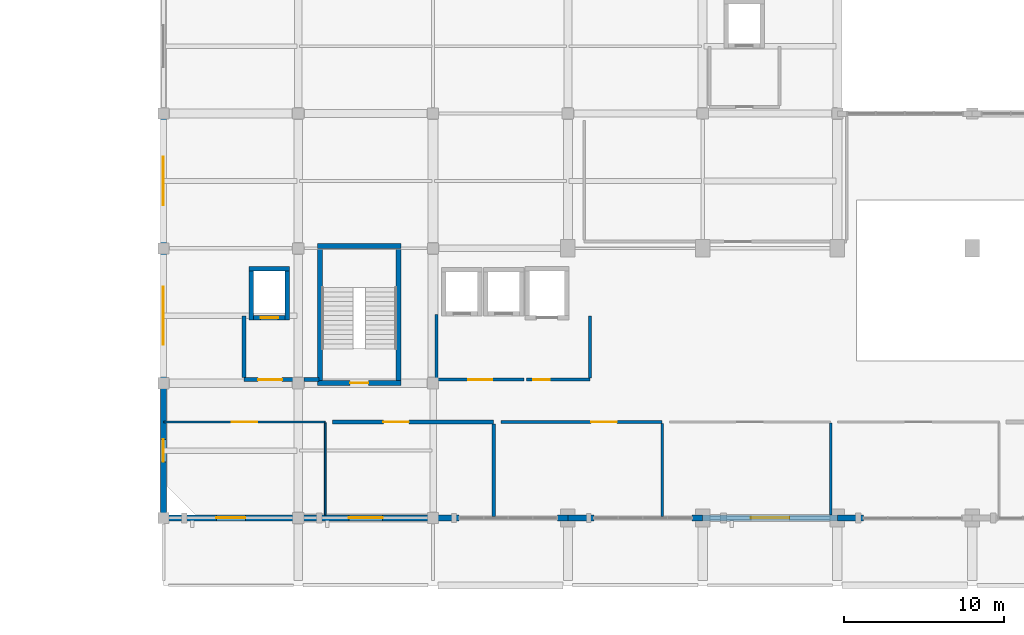
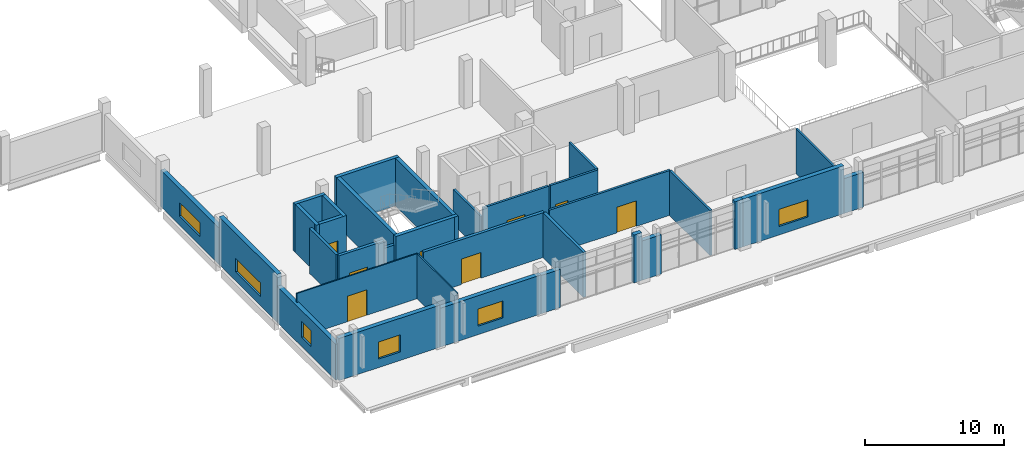
# One storey, part 46 of 59: 33 walls, 8 doors, 6 windows, 14 openings.
"""IFC4 building model written with IfcOpenShell, lengths in metres."""

from ifc_helpers import new_model, si_unit, derived_unit, direction, frame, frame_2d, origin, place, context, subcontext, project, spatial, rectangle, extrude, material, layer, layer_set, type_object, element, fill, save


model = new_model("IFC4")

# Units and contexts
model_context = context("Model", 3, precision=1e-05, world=origin(), true_north=direction((0.0, 1.0)))
body_context = subcontext(model_context, "Body", "Model", "MODEL_VIEW")
ifc_project = project(units=[si_unit("LENGTHUNIT", "METRE"), si_unit("AREAUNIT", "SQUARE_METRE"), si_unit("VOLUMEUNIT", "CUBIC_METRE"), si_unit("PLANEANGLEUNIT", "RADIAN"), si_unit("MASSUNIT", "GRAM", prefix="KILO"), derived_unit("THERMALTRANSMITTANCEUNIT", [(si_unit("POWERUNIT", "WATT"), 1), (si_unit("LENGTHUNIT", "METRE"), -2), (si_unit("THERMODYNAMICTEMPERATUREUNIT", "KELVIN"), -1)])], contexts=[model_context])

# Site, building, storey
site_placement = place(None, origin())
site = spatial("IfcSite", under=ifc_project, at=site_placement, CompositionType="ELEMENT")
building_placement = place(site_placement, origin())
building = spatial("IfcBuilding", under=site, at=building_placement, Name="Barrovel Congress Hotel", CompositionType="ELEMENT")
storey_placement = place(building_placement, frame((0.0, 0.0, 9.89990234375)))
storey = spatial("IfcBuildingStorey", under=building, at=storey_placement, Name="L02", CompositionType="ELEMENT", Elevation=9.89990234375)

# Wall, opening, window
ifc_material_1 = material(Name="Fired Clay Brick Masonry", Category="masonry")
ifc_layer_1 = layer(ifc_material_1, 0.360107421875)
ifc_layer_set_1 = layer_set([ifc_layer_1], Name="Fired Clay Brick Masonry")
wall_type_1 = type_object("IfcWallType", Name="EW-BRK360", PredefinedType="STANDARD", material=ifc_layer_set_1)
wall_1_placement = place(storey_placement, frame((16.800048828125, 4.199951171875, 0.0), z_axis=(0.0, 0.0, 1.0), x_axis=(1.0, 0.0, 0.0)))
wall_1 = element("IfcWall", 1, at=wall_1_placement, inside=storey, type_object=wall_type_1, Name="EW:L02:S:02", PredefinedType="STANDARD", context=body_context, shape_type="SweptSolid", body=[
    extrude(rectangle(XDim=8.39990234375, YDim=0.360107421875, at=frame_2d((4.199951171875, 0.0))), origin(), (0.0, 0.0, 1.0), 3.713134765625),
])
opening_1_placement = place(wall_1_placement, frame((3.300048828125, 0.0, 0.75)))
opening_1 = element("IfcOpeningElement", 2, at=opening_1_placement, cuts=wall_1, Name="Opening WN-03", PredefinedType="OPENING", context=body_context, shape_type="SweptSolid", body=[
    extrude(rectangle(XDim=1.800048828125, YDim=1.5, at=frame_2d((0.89990234375, 0.75))), frame((0.0, 0.18994140625, 0.0), z_axis=(0.0, -1.0, 0.0), x_axis=(1.0, 0.0, 0.0)), (0.0, 0.0, 1.0), 0.380126953125),
])
ifc_material_2 = material(Name="Double Low-E Insulated Glazing", Category="glass")
window_type_1 = type_object("IfcWindowType", Name="WIN-WN-03", PartitioningType="SINGLE_PANEL", PredefinedType="WINDOW", material=ifc_material_2)
window_1_placement = place(opening_1_placement, origin())
window_1 = element("IfcWindow", 3, at=window_1_placement, inside=storey, type_object=window_type_1, Name="WIN:L02:S:02", OverallHeight=1.5, OverallWidth=1.800048828125, PartitioningType="SINGLE_PANEL", PredefinedType="WINDOW", context=body_context, shape_type="SweptSolid", body=[
    extrude(rectangle(XDim=1.800048828125, YDim=1.5, at=frame_2d((0.89990234375, 0.75))), frame((0.0, 0.030029296875, 0.0), z_axis=(0.0, -1.0, 0.0), x_axis=(1.0, 0.0, 0.0)), (0.0, 0.0, 1.0), 0.06005859375),
])
fill(opening_1, window_1)

wall_2_placement = place(storey_placement, frame((25.199951171875, 4.199951171875, 0.0), z_axis=(0.0, 0.0, 1.0), x_axis=(1.0, 0.0, 0.0)))
wall_2 = element("IfcWall", 4, at=wall_2_placement, inside=storey, type_object=wall_type_1, Name="EW:L02:S:03", PredefinedType="STANDARD", context=body_context, shape_type="SweptSolid", body=[
    extrude(rectangle(XDim=8.400146484375, YDim=0.360107421875, at=frame_2d((4.2001953125, 0.0))), origin(), (0.0, 0.0, 1.0), 3.427001953125),
])
opening_2_placement = place(wall_2_placement, frame((3.14990234375, 0.0, 0.75)))
opening_2 = element("IfcOpeningElement", 5, at=opening_2_placement, cuts=wall_2, Name="Opening WN-04", PredefinedType="OPENING", context=body_context, shape_type="SweptSolid", body=[
    extrude(rectangle(XDim=2.10009765625, YDim=1.5, at=frame_2d((1.050048828125, 0.75))), frame((0.0, 0.18994140625, 0.0), z_axis=(0.0, -1.0, 0.0), x_axis=(1.0, 0.0, 0.0)), (0.0, 0.0, 1.0), 0.380126953125),
])
window_type_2 = type_object("IfcWindowType", Name="WIN-WN-04", PartitioningType="SINGLE_PANEL", PredefinedType="WINDOW", material=ifc_material_2)
window_2_placement = place(opening_2_placement, origin())
window_2 = element("IfcWindow", 6, at=window_2_placement, inside=storey, type_object=window_type_2, Name="WIN:L02:S:03", OverallHeight=1.5, OverallWidth=2.10009765625, PartitioningType="SINGLE_PANEL", PredefinedType="WINDOW", context=body_context, shape_type="SweptSolid", body=[
    extrude(rectangle(XDim=2.10009765625, YDim=1.5, at=frame_2d((1.050048828125, 0.75))), frame((0.0, 0.030029296875, 0.0), z_axis=(0.0, -1.0, 0.0), x_axis=(1.0, 0.0, 0.0)), (0.0, 0.0, 1.0), 0.06005859375),
])
fill(opening_2, window_2)

# Walls
wall_3_placement = place(storey_placement, frame((33.60009765625, 4.199951171875, 0.0), z_axis=(0.0, 0.0, 1.0), x_axis=(1.0, 0.0, 0.0)))
element("IfcWall", 7, at=wall_3_placement, inside=storey, type_object=wall_type_1, Name="EW:L02:SJ-L:4", PredefinedType="STANDARD", context=body_context, shape_type="SweptSolid", body=[
    extrude(rectangle(XDim=1.619873046875, YDim=0.360107421875, at=frame_2d((0.81005859375, 0.0))), origin(), (0.0, 0.0, 1.0), 3.360107421875),
])
wall_4_placement = place(storey_placement, frame((41.340087890625, 4.199951171875, 0.0), z_axis=(0.0, 0.0, 1.0), x_axis=(1.0, 0.0, 0.0)))
element("IfcWall", 8, at=wall_4_placement, inside=storey, type_object=wall_type_1, Name="EW:L02:SJ-R:4", PredefinedType="STANDARD", context=body_context, shape_type="SweptSolid", body=[
    extrude(rectangle(XDim=0.659912109375, YDim=0.360107421875, at=frame_2d((0.330078125, 0.0))), origin(), (0.0, 0.0, 1.0), 4.2001953125),
])
wall_5_placement = place(storey_placement, frame((42.0, 4.199951171875, 0.0), z_axis=(0.0, 0.0, 1.0), x_axis=(1.0, 0.0, 0.0)))
element("IfcWall", 9, at=wall_5_placement, inside=storey, type_object=wall_type_1, Name="EW:L02:SJ-L:5", PredefinedType="STANDARD", context=body_context, shape_type="SweptSolid", body=[
    extrude(rectangle(XDim=1.6201171875, YDim=0.360107421875, at=frame_2d((0.81005859375, 0.0))), origin(), (0.0, 0.0, 1.0), 3.460205078125),
])
wall_6_placement = place(storey_placement, frame((49.739990234375, 4.199951171875, 0.0), z_axis=(0.0, 0.0, 1.0), x_axis=(1.0, 0.0, 0.0)))
element("IfcWall", 10, at=wall_6_placement, inside=storey, type_object=wall_type_1, Name="EW:L02:SJ-R:5", PredefinedType="STANDARD", context=body_context, shape_type="SweptSolid", body=[
    extrude(rectangle(XDim=0.659912109375, YDim=0.360107421875, at=frame_2d((0.330078125, 0.0))), origin(), (0.0, 0.0, 1.0), 4.2001953125),
])

# Wall, opening, window
wall_7_placement = place(storey_placement, frame((50.39990234375, 4.199951171875, 0.0), z_axis=(0.0, 0.0, 1.0), x_axis=(1.0, 0.0, 0.0)))
wall_7 = element("IfcWall", 11, at=wall_7_placement, inside=storey, type_object=wall_type_1, Name="EW:L02:S:06", PredefinedType="STANDARD", context=body_context, shape_type="SweptSolid", body=[
    extrude(rectangle(XDim=8.400146484375, YDim=0.360107421875, at=frame_2d((4.2001953125, 0.0))), origin(), (0.0, 0.0, 1.0), 4.2001953125),
])
opening_3_placement = place(wall_7_placement, frame((3.0, 0.0, 0.75)))
opening_3 = element("IfcOpeningElement", 12, at=opening_3_placement, cuts=wall_7, Name="Opening WN-05", PredefinedType="OPENING", context=body_context, shape_type="SweptSolid", body=[
    extrude(rectangle(XDim=2.39990234375, YDim=1.5, at=frame_2d((1.199951171875, 0.75))), frame((0.0, 0.18994140625, 0.0), z_axis=(0.0, -1.0, 0.0), x_axis=(1.0, 0.0, 0.0)), (0.0, 0.0, 1.0), 0.380126953125),
])
window_type_3 = type_object("IfcWindowType", Name="WIN-WN-05", PartitioningType="SINGLE_PANEL", PredefinedType="WINDOW", material=ifc_material_2)
window_3_placement = place(opening_3_placement, origin())
window_3 = element("IfcWindow", 13, at=window_3_placement, inside=storey, type_object=window_type_3, Name="WIN:L02:S:06", OverallHeight=1.5, OverallWidth=2.39990234375, PartitioningType="SINGLE_PANEL", PredefinedType="WINDOW", context=body_context, shape_type="SweptSolid", body=[
    extrude(rectangle(XDim=2.39990234375, YDim=1.5, at=frame_2d((1.199951171875, 0.75))), frame((0.0, 0.030029296875, 0.0), z_axis=(0.0, -1.0, 0.0), x_axis=(1.0, 0.0, 0.0)), (0.0, 0.0, 1.0), 0.06005859375),
])
fill(opening_3, window_3)

# Wall
wall_8_placement = place(storey_placement, frame((58.800048828125, 4.199951171875, 0.0), z_axis=(0.0, 0.0, 1.0), x_axis=(1.0, 0.0, 0.0)))
element("IfcWall", 14, at=wall_8_placement, inside=storey, type_object=wall_type_1, Name="EW:L02:SJ-L:7", PredefinedType="STANDARD", context=body_context, shape_type="SweptSolid", body=[
    extrude(rectangle(XDim=1.619873046875, YDim=0.360107421875, at=frame_2d((0.81005859375, 0.0))), origin(), (0.0, 0.0, 1.0), 3.06005859375),
])

# Wall, opening, window
wall_9_placement = place(storey_placement, frame((16.800048828125, 29.39990234375, 0.0), z_axis=(0.0, 0.0, 1.0), x_axis=(0.0, -1.0, 0.0)))
wall_9 = element("IfcWall", 15, at=wall_9_placement, inside=storey, type_object=wall_type_1, Name="EW:L02:V4W:21.0", PredefinedType="STANDARD", context=body_context, shape_type="SweptSolid", body=[
    extrude(rectangle(XDim=8.39990234375, YDim=0.360107421875, at=frame_2d((4.199951171875, 0.0))), origin(), (0.0, 0.0, 1.0), 3.210205078125),
])
opening_4_placement = place(wall_9_placement, frame((2.699951171875, 0.0, 0.800048828125)))
opening_4 = element("IfcOpeningElement", 16, at=opening_4_placement, cuts=wall_9, Name="Opening WN-16", PredefinedType="OPENING", context=body_context, shape_type="SweptSolid", body=[
    extrude(rectangle(XDim=3.0, YDim=1.199951171875, at=frame_2d((1.5, 0.60009765625))), frame((0.0, 0.18994140625, 0.0), z_axis=(0.0, -1.0, 0.0), x_axis=(1.0, 0.0, 0.0)), (0.0, 0.0, 1.0), 0.380126953125),
])
window_type_4 = type_object("IfcWindowType", Name="WIN-WN-16", PartitioningType="SINGLE_PANEL", PredefinedType="WINDOW", material=ifc_material_2)
window_4_placement = place(opening_4_placement, origin())
window_4 = element("IfcWindow", 17, at=window_4_placement, inside=storey, type_object=window_type_4, Name="WIN:L02:V4W:21.0", OverallHeight=1.199951171875, OverallWidth=3.0, PartitioningType="SINGLE_PANEL", PredefinedType="WINDOW", context=body_context, shape_type="SweptSolid", body=[
    extrude(rectangle(XDim=3.0, YDim=1.199951171875, at=frame_2d((1.5, 0.60009765625))), frame((0.0, 0.030029296875, 0.0), z_axis=(0.0, -1.0, 0.0), x_axis=(1.0, 0.0, 0.0)), (0.0, 0.0, 1.0), 0.06005859375),
])
fill(opening_4, window_4)

wall_10_placement = place(storey_placement, frame((16.800048828125, 21.0, 0.0), z_axis=(0.0, 0.0, 1.0), x_axis=(0.0, -1.0, 0.0)))
wall_10 = element("IfcWall", 18, at=wall_10_placement, inside=storey, type_object=wall_type_1, Name="EW:L02:V4W:12.6", PredefinedType="STANDARD", context=body_context, shape_type="SweptSolid", body=[
    extrude(rectangle(XDim=8.39990234375, YDim=0.360107421875, at=frame_2d((4.199951171875, 0.0))), origin(), (0.0, 0.0, 1.0), 4.2001953125),
])
opening_5_placement = place(wall_10_placement, frame((2.39990234375, 0.0, 0.800048828125)))
opening_5 = element("IfcOpeningElement", 19, at=opening_5_placement, cuts=wall_10, Name="Opening WN-17", PredefinedType="OPENING", context=body_context, shape_type="SweptSolid", body=[
    extrude(rectangle(XDim=3.60009765625, YDim=1.199951171875, at=frame_2d((1.800048828125, 0.60009765625))), frame((0.0, 0.18994140625, 0.0), z_axis=(0.0, -1.0, 0.0), x_axis=(1.0, 0.0, 0.0)), (0.0, 0.0, 1.0), 0.380126953125),
])
window_type_5 = type_object("IfcWindowType", Name="WIN-WN-17", PartitioningType="SINGLE_PANEL", PredefinedType="WINDOW", material=ifc_material_2)
window_5_placement = place(opening_5_placement, origin())
window_5 = element("IfcWindow", 20, at=window_5_placement, inside=storey, type_object=window_type_5, Name="WIN:L02:V4W:12.6", OverallHeight=1.199951171875, OverallWidth=3.60009765625, PartitioningType="SINGLE_PANEL", PredefinedType="WINDOW", context=body_context, shape_type="SweptSolid", body=[
    extrude(rectangle(XDim=3.60009765625, YDim=1.199951171875, at=frame_2d((1.800048828125, 0.60009765625))), frame((0.0, 0.030029296875, 0.0), z_axis=(0.0, -1.0, 0.0), x_axis=(1.0, 0.0, 0.0)), (0.0, 0.0, 1.0), 0.06005859375),
])
fill(opening_5, window_5)

wall_11_placement = place(storey_placement, frame((16.800048828125, 12.60009765625, 0.0), z_axis=(0.0, 0.0, 1.0), x_axis=(0.0, -1.0, 0.0)))
wall_11 = element("IfcWall", 21, at=wall_11_placement, inside=storey, type_object=wall_type_1, Name="EW:L02:V4W:4.2", PredefinedType="STANDARD", context=body_context, shape_type="SweptSolid", body=[
    extrude(rectangle(XDim=8.400146484375, YDim=0.360107421875, at=frame_2d((4.2001953125, 0.0))), origin(), (0.0, 0.0, 1.0), 3.16015625),
])
opening_6_placement = place(wall_11_placement, frame((3.5, 0.0, 0.800048828125)))
opening_6 = element("IfcOpeningElement", 22, at=opening_6_placement, cuts=wall_11, Name="Opening WN-18", PredefinedType="OPENING", context=body_context, shape_type="SweptSolid", body=[
    extrude(rectangle(XDim=1.39990234375, YDim=1.39990234375, at=frame_2d((0.699951171875, 0.699951171875))), frame((0.0, 0.18994140625, 0.0), z_axis=(0.0, -1.0, 0.0), x_axis=(1.0, 0.0, 0.0)), (0.0, 0.0, 1.0), 0.380126953125),
])
window_type_6 = type_object("IfcWindowType", Name="WIN-WN-18", PartitioningType="SINGLE_PANEL", PredefinedType="WINDOW", material=ifc_material_2)
window_6_placement = place(opening_6_placement, origin())
window_6 = element("IfcWindow", 23, at=window_6_placement, inside=storey, type_object=window_type_6, Name="WIN:L02:V4W:4.2", OverallHeight=1.39990234375, OverallWidth=1.39990234375, PartitioningType="SINGLE_PANEL", PredefinedType="WINDOW", context=body_context, shape_type="SweptSolid", body=[
    extrude(rectangle(XDim=1.39990234375, YDim=1.39990234375, at=frame_2d((0.699951171875, 0.699951171875))), frame((0.0, 0.030029296875, 0.0), z_axis=(0.0, -1.0, 0.0), x_axis=(1.0, 0.0, 0.0)), (0.0, 0.0, 1.0), 0.06005859375),
])
fill(opening_6, window_6)

# Wall, opening, door
ifc_material_3 = material(Name="Gypsum Acoustic Stud", Category="gypsum")
ifc_layer_2 = layer(ifc_material_3, 0.179931640625)
ifc_layer_set_2 = layer_set([ifc_layer_2], Name="Gypsum Acoustic Stud")
wall_type_2 = type_object("IfcWallType", Name="PW-ACU-180", PredefinedType="PARTITIONING", material=ifc_layer_set_2)
wall_12_placement = place(storey_placement, frame((33.820068359375, 12.820068359375, 0.0), z_axis=(0.0, 0.0, 1.0), x_axis=(1.0, 0.0, 0.0)))
wall_12 = element("IfcWall", 24, at=wall_12_placement, inside=storey, type_object=wall_type_2, Name="RW:SP:L02:LL-C1:S", PredefinedType="PARTITIONING", context=body_context, shape_type="SweptSolid", body=[
    extrude(rectangle(XDim=5.4599609375, YDim=0.179931640625, at=frame_2d((2.72998046875, 0.0))), origin(), (0.0, 0.0, 1.0), 3.955078125),
])
opening_7_placement = place(wall_12_placement, frame((1.97998046875, 0.0, 0.0)))
opening_7 = element("IfcOpeningElement", 25, at=opening_7_placement, cuts=wall_12, Name="Opening ID-FFL", PredefinedType="OPENING", context=body_context, shape_type="SweptSolid", body=[
    extrude(rectangle(XDim=1.5, YDim=2.14990234375, at=frame_2d((0.75, 1.074951171875))), frame((0.0, 0.10009765625, 0.0), z_axis=(0.0, -1.0, 0.0), x_axis=(1.0, 0.0, 0.0)), (0.0, 0.0, 1.0), 0.199951171875),
])
ifc_material_4 = material(Name="Painted Hollow-Metal Steel Door", Category="steel")
door_type_1 = type_object("IfcDoorType", Name="IDR-ID-FFL", OperationType="NOTDEFINED", PredefinedType="DOOR", material=ifc_material_4)
door_1_placement = place(opening_7_placement, origin())
door_1 = element("IfcDoor", 26, at=door_1_placement, inside=storey, type_object=door_type_1, Name="RD:SP:L02:LL-C1", OperationType="DOUBLE_DOOR_SINGLE_SWING", OverallHeight=2.14990234375, OverallWidth=1.5, PredefinedType="DOOR", context=body_context, shape_type="SweptSolid", body=[
    extrude(rectangle(XDim=1.5, YDim=2.14990234375, at=frame_2d((0.75, 1.074951171875))), frame((0.0, 0.02490234375, 0.0), z_axis=(0.0, -1.0, 0.0), x_axis=(1.0, 0.0, 0.0)), (0.0, 0.0, 1.0), 0.050048828125),
])
fill(opening_7, door_1)

# Wall
wall_13_placement = place(storey_placement, frame((33.820068359375, 12.909912109375, 0.0), z_axis=(0.0, 0.0, 1.0), x_axis=(0.0, 1.0, 0.0)))
element("IfcWall", 27, at=wall_13_placement, inside=storey, type_object=wall_type_2, Name="RW:SP:L02:LL-C1:W", PredefinedType="PARTITIONING", context=body_context, shape_type="SweptSolid", body=[
    extrude(rectangle(XDim=3.969970703125, YDim=0.179931640625, at=frame_2d((1.98486328125, 0.0))), origin(), (0.0, 0.0, 1.0), 3.110107421875),
])

# Wall, opening, door
wall_14_placement = place(storey_placement, frame((39.419921875, 12.820068359375, 0.0), z_axis=(0.0, 0.0, 1.0), x_axis=(1.0, 0.0, 0.0)))
wall_14 = element("IfcWall", 28, at=wall_14_placement, inside=storey, type_object=wall_type_2, Name="RW:SP:L02:LL-SL1:S", PredefinedType="PARTITIONING", context=body_context, shape_type="SweptSolid", body=[
    extrude(rectangle(XDim=3.9599609375, YDim=0.179931640625, at=frame_2d((1.97998046875, 0.0))), origin(), (0.0, 0.0, 1.0), 3.955078125),
])
opening_8_placement = place(wall_14_placement, frame((0.419921875, 0.0, 0.0)))
opening_8 = element("IfcOpeningElement", 29, at=opening_8_placement, cuts=wall_14, Name="Opening ID-ACC", PredefinedType="OPENING", context=body_context, shape_type="SweptSolid", body=[
    extrude(rectangle(XDim=1.02001953125, YDim=2.14990234375, at=frame_2d((0.510009765625, 1.074951171875))), frame((0.0, 0.10009765625, 0.0), z_axis=(0.0, -1.0, 0.0), x_axis=(1.0, 0.0, 0.0)), (0.0, 0.0, 1.0), 0.199951171875),
])
ifc_material_5 = material(Name="Solid Oak Acoustic Timber Door", Category="wood")
door_type_2 = type_object("IfcDoorType", Name="IDR-ID-ACC", OperationType="NOTDEFINED", PredefinedType="DOOR", material=ifc_material_5)
door_2_placement = place(opening_8_placement, origin())
door_2 = element("IfcDoor", 30, at=door_2_placement, inside=storey, type_object=door_type_2, Name="RD:SP:L02:LL-SL1", OperationType="SINGLE_SWING_RIGHT", OverallHeight=2.14990234375, OverallWidth=1.02001953125, PredefinedType="DOOR", context=body_context, shape_type="SweptSolid", body=[
    extrude(rectangle(XDim=1.02001953125, YDim=2.14990234375, at=frame_2d((0.510009765625, 1.074951171875))), frame((0.0, 0.02490234375, 0.0), z_axis=(0.0, -1.0, 0.0), x_axis=(1.0, 0.0, 0.0)), (0.0, 0.0, 1.0), 0.050048828125),
])
fill(opening_8, door_2)

# Wall
wall_15_placement = place(storey_placement, frame((43.3798828125, 12.909912109375, 0.0), z_axis=(0.0, 0.0, 1.0), x_axis=(0.0, 1.0, 0.0)))
element("IfcWall", 31, at=wall_15_placement, inside=storey, type_object=wall_type_2, Name="RW:SP:L02:LL-SL1:E", PredefinedType="PARTITIONING", context=body_context, shape_type="SweptSolid", body=[
    extrude(rectangle(XDim=3.8701171875, YDim=0.179931640625, at=frame_2d((1.93505859375, 0.0))), origin(), (0.0, 0.0, 1.0), 3.955078125),
])

# Wall, opening, door
wall_16_placement = place(storey_placement, frame((37.820068359375, 10.179931640625, 0.0), z_axis=(0.0, 0.0, 1.0), x_axis=(1.0, 0.0, 0.0)))
wall_16 = element("IfcWall", 32, at=wall_16_placement, inside=storey, type_object=wall_type_2, Name="RW:SP:L02:BM-11:N", PredefinedType="PARTITIONING", context=body_context, shape_type="SweptSolid", body=[
    extrude(rectangle(XDim=10.059814453125, YDim=0.179931640625, at=frame_2d((5.02978515625, 0.0))), origin(), (0.0, 0.0, 1.0), 3.955078125),
])
opening_9_placement = place(wall_16_placement, frame((5.6298828125, 0.0, 0.0)))
opening_9 = element("IfcOpeningElement", 33, at=opening_9_placement, cuts=wall_16, Name="Opening ID-MTG", PredefinedType="OPENING", context=body_context, shape_type="SweptSolid", body=[
    extrude(rectangle(XDim=1.60009765625, YDim=2.25, at=frame_2d((0.800048828125, 1.125))), frame((0.0, 0.10009765625, 0.0), z_axis=(0.0, -1.0, 0.0), x_axis=(1.0, 0.0, 0.0)), (0.0, 0.0, 1.0), 0.199951171875),
])
door_type_3 = type_object("IfcDoorType", Name="IDR-ID-MTG", OperationType="NOTDEFINED", PredefinedType="DOOR", material=ifc_material_5)
door_3_placement = place(opening_9_placement, origin())
door_3 = element("IfcDoor", 34, at=door_3_placement, inside=storey, type_object=door_type_3, Name="RD:SP:L02:BM-11", OperationType="DOUBLE_DOOR_SINGLE_SWING", OverallHeight=2.25, OverallWidth=1.60009765625, PredefinedType="DOOR", context=body_context, shape_type="SweptSolid", body=[
    extrude(rectangle(XDim=1.60009765625, YDim=2.25, at=frame_2d((0.800048828125, 1.125))), frame((0.0, 0.02490234375, 0.0), z_axis=(0.0, -1.0, 0.0), x_axis=(1.0, 0.0, 0.0)), (0.0, 0.0, 1.0), 0.050048828125),
])
fill(opening_9, door_3)

# Wall
wall_17_placement = place(storey_placement, frame((47.8798828125, 4.280029296875, 0.0), z_axis=(0.0, 0.0, 1.0), x_axis=(0.0, 1.0, 0.0)))
element("IfcWall", 35, at=wall_17_placement, inside=storey, type_object=wall_type_2, Name="RW:SP:L02:BM-11:E", PredefinedType="PARTITIONING", context=body_context, shape_type="SweptSolid", body=[
    extrude(rectangle(XDim=5.81005859375, YDim=0.179931640625, at=frame_2d((2.905029296875, 0.0))), origin(), (0.0, 0.0, 1.0), 3.955078125),
])

# Wall, opening, door
ifc_layer_3 = layer(ifc_material_3, 0.10009765625)
ifc_layer_set_3 = layer_set([ifc_layer_3], Name="Gypsum Acoustic Stud")
wall_type_3 = type_object("IfcWallType", Name="PW-LGT-100", PredefinedType="PARTITIONING", material=ifc_layer_set_3)
wall_18_placement = place(storey_placement, frame((16.820068359375, 10.179931640625, 0.0), z_axis=(0.0, 0.0, 1.0), x_axis=(1.0, 0.0, 0.0)))
wall_18 = element("IfcWall", 36, at=wall_18_placement, inside=storey, type_object=wall_type_3, Name="RW:SP:L02:BM-09:N", PredefinedType="PARTITIONING", context=body_context, shape_type="SweptSolid", body=[
    extrude(rectangle(XDim=10.059814453125, YDim=0.10009765625, at=frame_2d((5.02978515625, 0.0))), origin(), (0.0, 0.0, 1.0), 3.955078125),
])
opening_10_placement = place(wall_18_placement, frame((4.22998046875, 0.0, 0.0)))
opening_10 = element("IfcOpeningElement", 37, at=opening_10_placement, cuts=wall_18, Name="Opening ID-MTG", PredefinedType="OPENING", context=body_context, shape_type="SweptSolid", body=[
    extrude(rectangle(XDim=1.60009765625, YDim=2.25, at=frame_2d((0.800048828125, 1.125))), frame((0.0, 0.06005859375, 0.0), z_axis=(0.0, -1.0, 0.0), x_axis=(1.0, 0.0, 0.0)), (0.0, 0.0, 1.0), 0.1201171875),
])
door_4_placement = place(opening_10_placement, origin())
door_4 = element("IfcDoor", 38, at=door_4_placement, inside=storey, type_object=door_type_3, Name="RD:SP:L02:BM-09", OperationType="DOUBLE_DOOR_SINGLE_SWING", OverallHeight=2.25, OverallWidth=1.60009765625, PredefinedType="DOOR", context=body_context, shape_type="SweptSolid", body=[
    extrude(rectangle(XDim=1.60009765625, YDim=2.25, at=frame_2d((0.800048828125, 1.125))), frame((0.0, 0.02490234375, 0.0), z_axis=(0.0, -1.0, 0.0), x_axis=(1.0, 0.0, 0.0)), (0.0, 0.0, 1.0), 0.050048828125),
])
fill(opening_10, door_4)

# Wall
wall_19_placement = place(storey_placement, frame((26.8798828125, 4.3798828125, 0.0), z_axis=(0.0, 0.0, 1.0), x_axis=(0.0, 1.0, 0.0)))
element("IfcWall", 39, at=wall_19_placement, inside=storey, type_object=wall_type_3, Name="RW:SP:L02:BM-09:E", PredefinedType="PARTITIONING", context=body_context, shape_type="SweptSolid", body=[
    extrude(rectangle(XDim=5.75, YDim=0.10009765625, at=frame_2d((2.875, 0.0))), origin(), (0.0, 0.0, 1.0), 3.955078125),
])

# Wall, opening, door
ifc_layer_4 = layer(ifc_material_1, 0.239990234375)
ifc_layer_set_4 = layer_set([ifc_layer_4], Name="Fired Clay Brick Masonry")
wall_type_4 = type_object("IfcWallType", Name="PW-MAS-240", PredefinedType="PARTITIONING", material=ifc_layer_set_4)
wall_20_placement = place(storey_placement, frame((21.820068359375, 12.820068359375, 0.0), z_axis=(0.0, 0.0, 1.0), x_axis=(1.0, 0.0, 0.0)))
wall_20 = element("IfcWall", 40, at=wall_20_placement, inside=storey, type_object=wall_type_4, Name="RW:SP:L02:FFL-1:S", PredefinedType="PARTITIONING", context=body_context, shape_type="SweptSolid", body=[
    extrude(rectangle(XDim=3.72998046875, YDim=0.239990234375, at=frame_2d((1.864990234375, 0.0))), origin(), (0.0, 0.0, 1.0), 3.955078125),
])
opening_11_placement = place(wall_20_placement, frame((0.8798828125, 0.0, 0.0)))
opening_11 = element("IfcOpeningElement", 41, at=opening_11_placement, cuts=wall_20, Name="Opening ID-FFL", PredefinedType="OPENING", context=body_context, shape_type="SweptSolid", body=[
    extrude(rectangle(XDim=1.5, YDim=2.14990234375, at=frame_2d((0.75, 1.074951171875))), frame((0.0, 0.1298828125, 0.0), z_axis=(0.0, -1.0, 0.0), x_axis=(1.0, 0.0, 0.0)), (0.0, 0.0, 1.0), 0.260009765625),
])
door_5_placement = place(opening_11_placement, origin())
door_5 = element("IfcDoor", 42, at=door_5_placement, inside=storey, type_object=door_type_1, Name="RD:SP:L02:FFL-1", OperationType="DOUBLE_DOOR_SINGLE_SWING", OverallHeight=2.14990234375, OverallWidth=1.5, PredefinedType="DOOR", context=body_context, shape_type="SweptSolid", body=[
    extrude(rectangle(XDim=1.5, YDim=2.14990234375, at=frame_2d((0.75, 1.074951171875))), frame((0.0, 0.02490234375, 0.0), z_axis=(0.0, -1.0, 0.0), x_axis=(1.0, 0.0, 0.0)), (0.0, 0.0, 1.0), 0.050048828125),
])
fill(opening_11, door_5)

# Wall
wall_21_placement = place(storey_placement, frame((21.820068359375, 12.93994140625, 0.0), z_axis=(0.0, 0.0, 1.0), x_axis=(0.0, 1.0, 0.0)))
element("IfcWall", 43, at=wall_21_placement, inside=storey, type_object=wall_type_4, Name="RW:SP:L02:FFL-1:W", PredefinedType="PARTITIONING", context=body_context, shape_type="SweptSolid", body=[
    extrude(rectangle(XDim=3.840087890625, YDim=0.239990234375, at=frame_2d((1.919921875, 0.0))), origin(), (0.0, 0.0, 1.0), 3.955078125),
])

# Wall, opening, door
wall_22_placement = place(storey_placement, frame((27.320068359375, 10.179931640625, 0.0), z_axis=(0.0, 0.0, 1.0), x_axis=(1.0, 0.0, 0.0)))
wall_22 = element("IfcWall", 44, at=wall_22_placement, inside=storey, type_object=wall_type_4, Name="RW:SP:L02:BM-10:N", PredefinedType="PARTITIONING", context=body_context, shape_type="SweptSolid", body=[
    extrude(rectangle(XDim=10.059814453125, YDim=0.239990234375, at=frame_2d((5.02978515625, 0.0))), origin(), (0.0, 0.0, 1.0), 3.955078125),
])
opening_12_placement = place(wall_22_placement, frame((3.179931640625, 0.0, 0.0)))
opening_12 = element("IfcOpeningElement", 45, at=opening_12_placement, cuts=wall_22, Name="Opening ID-MTG", PredefinedType="OPENING", context=body_context, shape_type="SweptSolid", body=[
    extrude(rectangle(XDim=1.60009765625, YDim=2.25, at=frame_2d((0.800048828125, 1.125))), frame((0.0, 0.1298828125, 0.0), z_axis=(0.0, -1.0, 0.0), x_axis=(1.0, 0.0, 0.0)), (0.0, 0.0, 1.0), 0.260009765625),
])
door_6_placement = place(opening_12_placement, origin())
door_6 = element("IfcDoor", 46, at=door_6_placement, inside=storey, type_object=door_type_3, Name="RD:SP:L02:BM-10", OperationType="DOUBLE_DOOR_SINGLE_SWING", OverallHeight=2.25, OverallWidth=1.60009765625, PredefinedType="DOOR", context=body_context, shape_type="SweptSolid", body=[
    extrude(rectangle(XDim=1.60009765625, YDim=2.25, at=frame_2d((0.800048828125, 1.125))), frame((0.0, 0.02490234375, 0.0), z_axis=(0.0, -1.0, 0.0), x_axis=(1.0, 0.0, 0.0)), (0.0, 0.0, 1.0), 0.050048828125),
])
fill(opening_12, door_6)

# Walls
wall_23_placement = place(storey_placement, frame((37.3798828125, 4.280029296875, 0.0), z_axis=(0.0, 0.0, 1.0), x_axis=(0.0, 1.0, 0.0)))
element("IfcWall", 47, at=wall_23_placement, inside=storey, type_object=wall_type_4, Name="RW:SP:L02:BM-10:E", PredefinedType="PARTITIONING", context=body_context, shape_type="SweptSolid", body=[
    extrude(rectangle(XDim=5.780029296875, YDim=0.239990234375, at=frame_2d((2.89013671875, 0.0))), origin(), (0.0, 0.0, 1.0), 3.955078125),
])
wall_24_placement = place(storey_placement, frame((25.550048828125, 12.820068359375, 0.0), z_axis=(0.0, 0.0, 1.0), x_axis=(1.0, 0.0, 0.0)))
element("IfcWall", 48, at=wall_24_placement, inside=storey, type_object=wall_type_4, Name="RW:SP:L02:FFL-1:S:P02", PredefinedType="PARTITIONING", context=body_context, shape_type="SweptSolid", body=[
    extrude(rectangle(XDim=0.929931640625, YDim=0.239990234375, at=frame_2d((0.46484375, 0.0))), origin(), (0.0, 0.0, 1.0), 3.31005859375),
])
ifc_layer_5 = layer(ifc_material_3, 0.14990234375)
ifc_layer_set_5 = layer_set([ifc_layer_5], Name="Gypsum Acoustic Stud")
wall_type_5 = type_object("IfcWallType", Name="PW-STD-150", PredefinedType="PARTITIONING", material=ifc_layer_set_5)
wall_25_placement = place(storey_placement, frame((58.3798828125, 4.3798828125, 0.0), z_axis=(0.0, 0.0, 1.0), x_axis=(0.0, 1.0, 0.0)))
element("IfcWall", 49, at=wall_25_placement, inside=storey, type_object=wall_type_5, Name="RW:SP:L02:BM-12:E", PredefinedType="PARTITIONING", context=body_context, shape_type="SweptSolid", body=[
    extrude(rectangle(XDim=5.72509765625, YDim=0.14990234375, at=frame_2d((2.862548828125, 0.0))), origin(), (0.0, 0.0, 1.0), 3.955078125),
])

# Wall, opening, door
ifc_material_6 = material(Name="Concrete C40", Category="concrete")
ifc_layer_6 = layer(ifc_material_6, 0.280029296875)
ifc_layer_set_6 = layer_set([ifc_layer_6], Name="Concrete C40")
wall_type_6 = type_object("IfcWallType", Name="SW-C40-280", PredefinedType="SHEAR", material=ifc_layer_set_6)
wall_26_placement = place(storey_placement, frame((22.139892578125, 16.679931640625, 0.0), z_axis=(0.0, 0.0, 1.0), x_axis=(1.0, 0.0, 0.0)))
wall_26 = element("IfcWall", 50, at=wall_26_placement, inside=storey, type_object=wall_type_6, Name="LSH:FL-1:L02:S", PredefinedType="SHEAR", context=body_context, shape_type="SweptSolid", body=[
    extrude(rectangle(XDim=2.52001953125, YDim=0.280029296875, at=frame_2d((1.260009765625, 0.0))), origin(), (0.0, 0.0, 1.0), 4.2001953125),
])
opening_13_placement = place(wall_26_placement, frame((0.7099609375, 0.0, 0.0)))
opening_13 = element("IfcOpeningElement", 51, at=opening_13_placement, cuts=wall_26, Name="Opening LD-FF", PredefinedType="OPENING", context=body_context, shape_type="SweptSolid", body=[
    extrude(rectangle(XDim=1.10009765625, YDim=2.199951171875, at=frame_2d((0.550048828125, 1.10009765625))), frame((0.0, 0.14990234375, 0.0), z_axis=(0.0, -1.0, 0.0), x_axis=(1.0, 0.0, 0.0)), (0.0, 0.0, 1.0), 0.300048828125),
])
ifc_material_7 = material(Name="Brushed Stainless Steel", Category="steel")
door_type_4 = type_object("IfcDoorType", Name="IDR-LD-FF", OperationType="NOTDEFINED", PredefinedType="DOOR", material=ifc_material_7)
door_7_placement = place(opening_13_placement, origin())
door_7 = element("IfcDoor", 52, at=door_7_placement, inside=storey, type_object=door_type_4, Name="Lift Landing Door LD-FL-1-L02", OperationType="SLIDING_TO_LEFT", OverallHeight=2.199951171875, OverallWidth=1.10009765625, PredefinedType="DOOR", context=body_context, shape_type="SweptSolid", body=[
    extrude(rectangle(XDim=1.10009765625, YDim=2.199951171875, at=frame_2d((0.550048828125, 1.10009765625))), frame((0.0, 0.02490234375, 0.0), z_axis=(0.0, -1.0, 0.0), x_axis=(1.0, 0.0, 0.0)), (0.0, 0.0, 1.0), 0.050048828125),
])
fill(opening_13, door_7)

# Walls
wall_27_placement = place(storey_placement, frame((24.52001953125, 16.5400390625, 0.0), z_axis=(0.0, 0.0, 1.0), x_axis=(0.0, 1.0, 0.0)))
element("IfcWall", 53, at=wall_27_placement, inside=storey, type_object=wall_type_6, Name="LSH:FL-1:L02:E", PredefinedType="SHEAR", context=body_context, shape_type="SweptSolid", body=[
    extrude(rectangle(XDim=3.320068359375, YDim=0.280029296875, at=frame_2d((1.66015625, 0.0))), origin(), (0.0, 0.0, 1.0), 4.2001953125),
])
wall_28_placement = place(storey_placement, frame((24.659912109375, 19.719970703125, 0.0), z_axis=(0.0, 0.0, 1.0), x_axis=(-1.0, 0.0, 0.0)))
element("IfcWall", 54, at=wall_28_placement, inside=storey, type_object=wall_type_6, Name="LSH:FL-1:L02:N", PredefinedType="SHEAR", context=body_context, shape_type="SweptSolid", body=[
    extrude(rectangle(XDim=2.52001953125, YDim=0.280029296875, at=frame_2d((1.260009765625, 0.0))), origin(), (0.0, 0.0, 1.0), 4.2001953125),
])
wall_29_placement = place(storey_placement, frame((22.280029296875, 19.860107421875, 0.0), z_axis=(0.0, 0.0, 1.0), x_axis=(0.0, -1.0, 0.0)))
element("IfcWall", 55, at=wall_29_placement, inside=storey, type_object=wall_type_6, Name="LSH:FL-1:L02:W", PredefinedType="SHEAR", context=body_context, shape_type="SweptSolid", body=[
    extrude(rectangle(XDim=3.320068359375, YDim=0.280029296875, at=frame_2d((1.66015625, 0.0))), origin(), (0.0, 0.0, 1.0), 4.2001953125),
])

# Wall, opening, door
ifc_layer_7 = layer(ifc_material_6, 0.300048828125)
ifc_layer_set_7 = layer_set([ifc_layer_7], Name="Concrete C40")
wall_type_7 = type_object("IfcWallType", Name="SW-C40-300", PredefinedType="SHEAR", material=ifc_layer_set_7)
wall_30_placement = place(storey_placement, frame((26.39990234375, 12.610107421875, 0.0), z_axis=(0.0, 0.0, 1.0), x_axis=(1.0, 0.0, 0.0)))
wall_30 = element("IfcWall", 56, at=wall_30_placement, inside=storey, type_object=wall_type_7, Name="SHW:XS-01:L02:S", PredefinedType="SHEAR", context=body_context, shape_type="SweptSolid", body=[
    extrude(rectangle(XDim=5.2001953125, YDim=0.300048828125, at=frame_2d((2.60009765625, 0.0))), origin(), (0.0, 0.0, 1.0), 4.2001953125),
])
opening_14_placement = place(wall_30_placement, frame((2.02490234375, 0.0, 0.0)))
opening_14 = element("IfcOpeningElement", 57, at=opening_14_placement, cuts=wall_30, Name="Opening ID-ST1", PredefinedType="OPENING", context=body_context, shape_type="SweptSolid", body=[
    extrude(rectangle(XDim=1.14990234375, YDim=2.14990234375, at=frame_2d((0.574951171875, 1.074951171875))), frame((0.0, 0.16015625, 0.0), z_axis=(0.0, -1.0, 0.0), x_axis=(1.0, 0.0, 0.0)), (0.0, 0.0, 1.0), 0.320068359375),
])
door_type_5 = type_object("IfcDoorType", Name="IDR-ID-ST1", OperationType="NOTDEFINED", PredefinedType="DOOR", material=ifc_material_4)
door_8_placement = place(opening_14_placement, origin())
door_8 = element("IfcDoor", 58, at=door_8_placement, inside=storey, type_object=door_type_5, Name="Stair Core Fire Door XS-01-L02", OperationType="SINGLE_SWING_RIGHT", OverallHeight=2.14990234375, OverallWidth=1.14990234375, PredefinedType="DOOR", context=body_context, shape_type="SweptSolid", body=[
    extrude(rectangle(XDim=1.14990234375, YDim=2.14990234375, at=frame_2d((0.574951171875, 1.074951171875))), frame((0.0, 0.02490234375, 0.0), z_axis=(0.0, -1.0, 0.0), x_axis=(1.0, 0.0, 0.0)), (0.0, 0.0, 1.0), 0.050048828125),
])
fill(opening_14, door_8)

# Walls
wall_31_placement = place(storey_placement, frame((31.449951171875, 12.4599609375, 0.0), z_axis=(0.0, 0.0, 1.0), x_axis=(0.0, 1.0, 0.0)))
element("IfcWall", 59, at=wall_31_placement, inside=storey, type_object=wall_type_7, Name="SHW:XS-01:L02:E", PredefinedType="SHEAR", context=body_context, shape_type="SweptSolid", body=[
    extrude(rectangle(XDim=8.840087890625, YDim=0.300048828125, at=frame_2d((4.419921875, 0.0))), origin(), (0.0, 0.0, 1.0), 4.2001953125),
])
wall_32_placement = place(storey_placement, frame((31.60009765625, 21.14990234375, 0.0), z_axis=(0.0, 0.0, 1.0), x_axis=(-1.0, 0.0, 0.0)))
element("IfcWall", 60, at=wall_32_placement, inside=storey, type_object=wall_type_7, Name="SHW:XS-01:L02:N", PredefinedType="SHEAR", context=body_context, shape_type="SweptSolid", body=[
    extrude(rectangle(XDim=5.2001953125, YDim=0.300048828125, at=frame_2d((2.60009765625, 0.0))), origin(), (0.0, 0.0, 1.0), 4.2001953125),
])
wall_33_placement = place(storey_placement, frame((26.550048828125, 21.300048828125, 0.0), z_axis=(0.0, 0.0, 1.0), x_axis=(0.0, -1.0, 0.0)))
element("IfcWall", 61, at=wall_33_placement, inside=storey, type_object=wall_type_7, Name="SHW:XS-01:L02:W", PredefinedType="SHEAR", context=body_context, shape_type="SweptSolid", body=[
    extrude(rectangle(XDim=8.840087890625, YDim=0.300048828125, at=frame_2d((4.419921875, 0.0))), origin(), (0.0, 0.0, 1.0), 4.2001953125),
])

save(model, "model.ifc")
